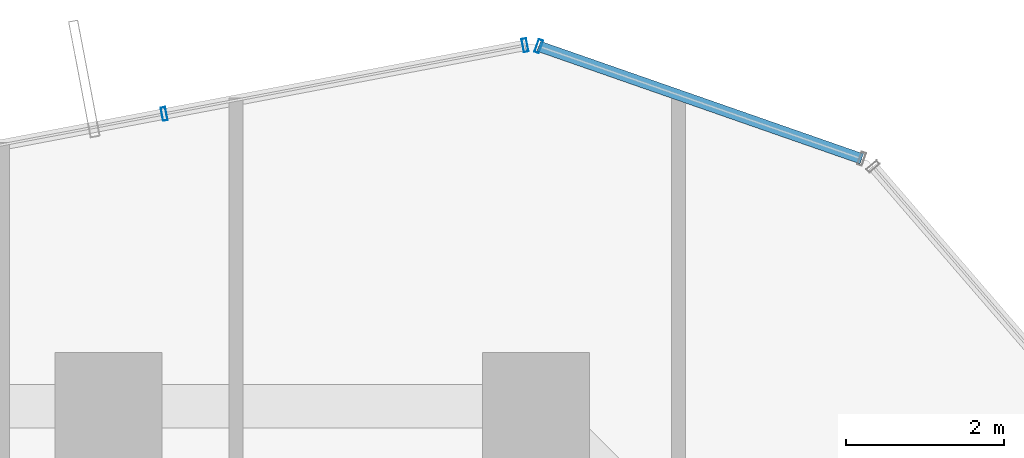
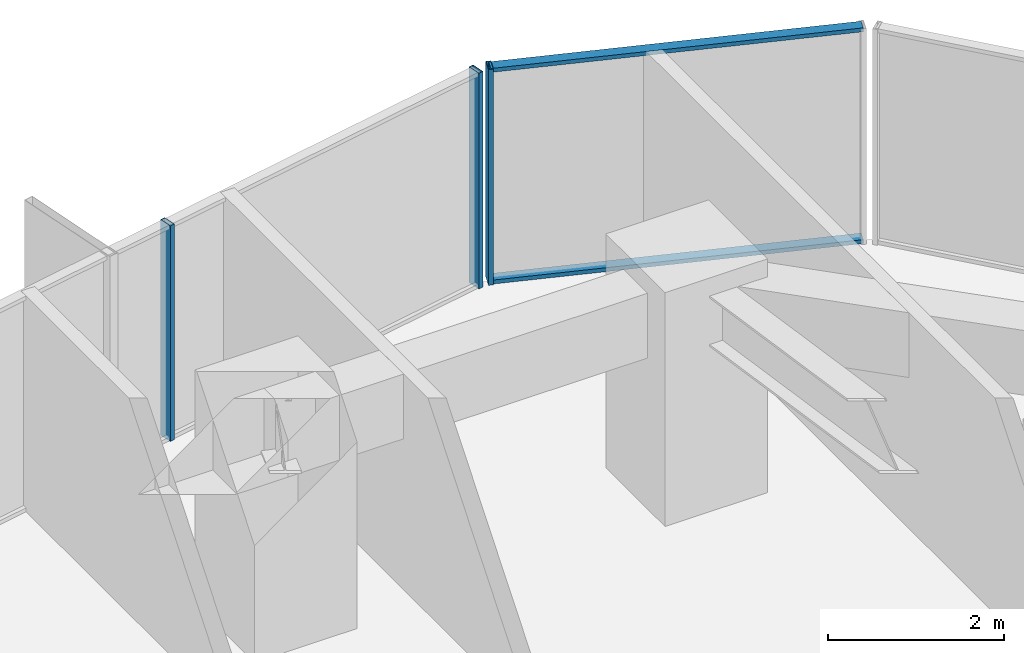
# One storey, part 27 of 38: 5 members, 2 elements without a shape of their own.
"""IFC4 building model written with IfcOpenShell, lengths in metres."""

from ifc_helpers import new_model, si_unit, direction, frame, origin, origin_2d, place, context, subcontext, project, spatial, hollow_rectangle, extrude, source, transform, mapped, material, layer, layer_set, material_profile, profile_set, type_object, element, aggregate, save


model = new_model("IFC4")

# Units and contexts
model_context = context("Model", 3, precision=1e-05, world=origin(), true_north=direction((0.0, 1.0)))
body_context = subcontext(model_context, "Body", "Model", "MODEL_VIEW")
ifc_project = project(units=[si_unit("LENGTHUNIT", "METRE"), si_unit("AREAUNIT", "SQUARE_METRE"), si_unit("VOLUMEUNIT", "CUBIC_METRE"), si_unit("PLANEANGLEUNIT", "RADIAN"), si_unit("MASSUNIT", "GRAM", prefix="KILO")], contexts=[model_context])

# Site, building, storey
site_placement = place(None, origin())
site = spatial("IfcSite", under=ifc_project, at=site_placement, CompositionType="ELEMENT")
building_placement = place(site_placement, origin())
building = spatial("IfcBuilding", under=site, at=building_placement, Name="Veraguas Prism Commons", CompositionType="ELEMENT")
storey_placement = place(building_placement, frame((0.0, 0.0, 60.85009765625)))
storey = spatial("IfcBuildingStorey", under=building, at=storey_placement, Name="L16", CompositionType="ELEMENT", Elevation=60.85009765625)

# Curtain wall, members
ifc_material = material(Name="Anodised aluminium EN AW-6063 T6", Category="aluminium")
ifc_layer = layer(ifc_material, 0.169921875, Name="Unitised Flush Curtain Wall Zone 1", Category="aluminium")
ifc_layer_set = layer_set([ifc_layer], Name="Anodised aluminium EN AW-6063 T6")
curtain_wall_type = type_object("IfcCurtainWallType", Name="Unitised Flush Curtain Wall Zone 1", PredefinedType="NOTDEFINED", material=ifc_layer_set)
curtain_wall_1_placement = place(storey_placement, origin())
curtain_wall_1 = element("IfcCurtainWall", 1, at=curtain_wall_1_placement, inside=storey, type_object=curtain_wall_type, Name="Chamfer Curtain Wall L16-C2", PredefinedType="NOTDEFINED")
ifc_material_profile_1 = material_profile(ifc_material, hollow_rectangle(XDim=0.054931640625, YDim=0.135009765625, WallThickness=0.0029296875, at=origin_2d()), Name="AL55X135X3")
ifc_profile_set_1 = profile_set([ifc_material_profile_1], Name="Anodised aluminium EN AW-6063 T6")
member_type_1 = type_object("IfcMemberType", Name="Curtain Wall Transom Standard AL 55x135x3", PredefinedType="USERDEFINED", material=ifc_profile_set_1)
shared_shape_1 = source(origin(), body_context, "Body", "SweptSolid", [
    extrude(hollow_rectangle(XDim=0.054931640625, YDim=0.135009765625, WallThickness=0.0029296875, at=origin_2d()), origin(), (0.0, 0.0, 1.0), 4.31982421875),
])
member_1_placement = place(storey_placement, frame((33.5126953125, 44.724609375, 0.02734375), z_axis=(-0.944259433764, 0.329202250519, 0.0), x_axis=(0.0, 0.0, 1.0)))
member_1 = element("IfcMember", 2, at=member_1_placement, type_object=member_type_1, Name="CW-Z1 Transom 1", ObjectType="TRANSOM", PredefinedType="USERDEFINED", context=body_context, shape_type="MappedRepresentation", body=[
    mapped(shared_shape_1, transform((0.0, 0.0, 0.0), scale=1.0)),
])
member_2_placement = place(storey_placement, frame((33.5126953125, 44.724609375, 2.972412109375), z_axis=(-0.944259433764, 0.329202250519, 0.0), x_axis=(0.0, 0.0, 1.0)))
member_2 = element("IfcMember", 3, at=member_2_placement, type_object=member_type_1, Name="CW-Z1 Transom 2", ObjectType="TRANSOM", PredefinedType="USERDEFINED", context=body_context, shape_type="MappedRepresentation", body=[
    mapped(shared_shape_1, transform((0.0, 0.0, 0.0), scale=1.0)),
])

curtain_wall_2_placement = place(storey_placement, origin())
curtain_wall_2 = element("IfcCurtainWall", 4, at=curtain_wall_2_placement, inside=storey, type_object=curtain_wall_type, Name="Tower Facade Curtain Wall L16-F2", PredefinedType="NOTDEFINED")
ifc_material_profile_2 = material_profile(ifc_material, hollow_rectangle(XDim=0.06005859375, YDim=0.169921875, WallThickness=0.00390625, at=origin_2d()), Name="AL60X170X4")
ifc_profile_set_2 = profile_set([ifc_material_profile_2], Name="Anodised aluminium EN AW-6063 T6")
member_type_2 = type_object("IfcMemberType", Name="Curtain Wall Mullion Lower AL 60x170x4", PredefinedType="MULLION", material=ifc_profile_set_2)
shared_shape_2 = source(origin(), body_context, "Body", "SweptSolid", [
    extrude(hollow_rectangle(XDim=0.06005859375, YDim=0.169921875, WallThickness=0.00390625, at=origin_2d()), origin(), (0.0, 0.0, 1.0), 3.0),
])
member_3_placement = place(storey_placement, frame((29.260009765625, 46.159423828125, 0.0), z_axis=(0.0, 0.0, 1.0), x_axis=(-0.982352599301, -0.187038420242, 0.0)))
member_3 = element("IfcMember", 5, at=member_3_placement, type_object=member_type_2, Name="CW-Z1 Mullion 1", PredefinedType="MULLION", context=body_context, shape_type="MappedRepresentation", body=[
    mapped(shared_shape_2, transform((0.0, 0.0, 0.0), scale=1.0)),
])
member_4_placement = place(storey_placement, frame((24.701171875, 45.29150390625, 0.0), z_axis=(0.0, 0.0, 1.0), x_axis=(-0.982352599301, -0.187038420242, 0.0)))
member_4 = element("IfcMember", 6, at=member_4_placement, type_object=member_type_2, Name="CW-Z1 Mullion 2", PredefinedType="MULLION", context=body_context, shape_type="MappedRepresentation", body=[
    mapped(shared_shape_2, transform((0.0, 0.0, 0.0), scale=1.0)),
])
aggregate(curtain_wall_2, [member_3, member_4])

# Member
member_5_placement = place(storey_placement, frame((29.43359375, 46.146728515625, 0.0), z_axis=(0.0, 0.0, 1.0), x_axis=(-0.944272432632, 0.329164963158, 0.0)))
member_5 = element("IfcMember", 7, at=member_5_placement, type_object=member_type_2, Name="CW-Z1 Mullion 2", PredefinedType="MULLION", context=body_context, shape_type="MappedRepresentation", body=[
    mapped(shared_shape_2, transform((0.0, 0.0, 0.0), scale=1.0)),
])

aggregate(curtain_wall_1, [member_5, member_1, member_2])

save(model, "model.ifc")
